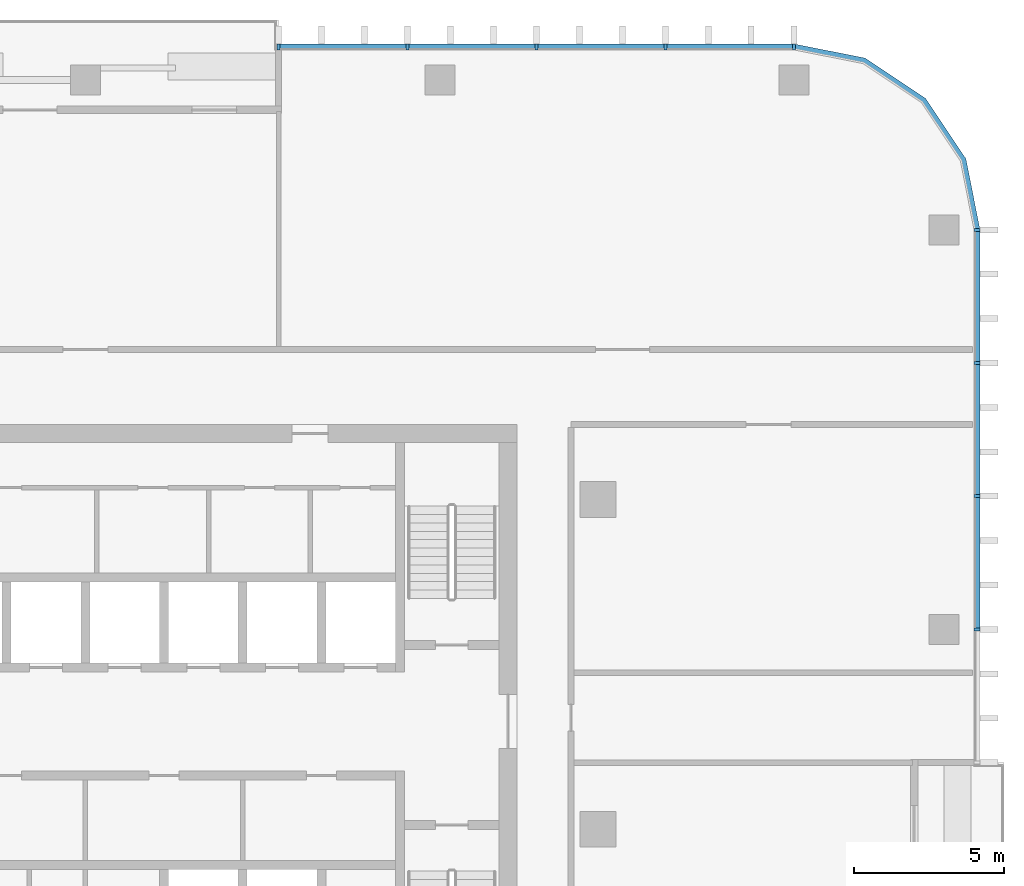
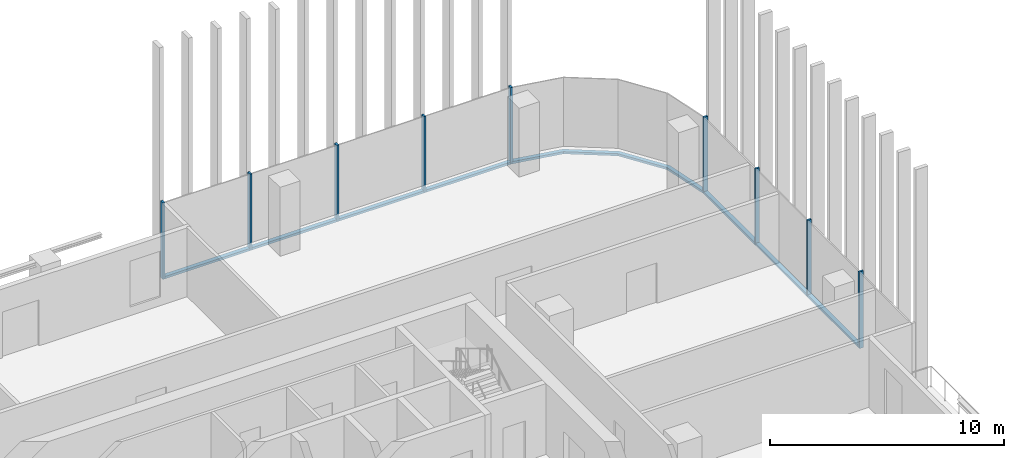
# One storey, part 5 of 16: 17 members, 3 elements without a shape of their own.
"""IFC4 building model written with IfcOpenShell, lengths in metres."""

from ifc_helpers import new_model, si_unit, direction, frame, origin, origin_2d, place, context, subcontext, project, spatial, polyline, rectangle, outline, extrude, material, material_profile, profile_set, type_object, element, aggregate, save


model = new_model("IFC4")

# Units and contexts
model_context = context("Model", 3, precision=1e-05, world=origin(), true_north=direction((0.0, 1.0)))
body_context = subcontext(model_context, "Body", "Model", "MODEL_VIEW")
ifc_project = project(units=[si_unit("LENGTHUNIT", "METRE"), si_unit("AREAUNIT", "SQUARE_METRE"), si_unit("VOLUMEUNIT", "CUBIC_METRE"), si_unit("PLANEANGLEUNIT", "RADIAN"), si_unit("MASSUNIT", "GRAM", prefix="KILO")], contexts=[model_context])

# Site, building, storey
site_placement = place(None, origin())
site = spatial("IfcSite", under=ifc_project, at=site_placement, CompositionType="ELEMENT")
building_placement = place(site_placement, origin())
building = spatial("IfcBuilding", under=site, at=building_placement, Name="Mopane Tessera Tower", CompositionType="ELEMENT")
storey_placement = place(building_placement, frame((0.0, 0.0, 267.39990234375)))
storey = spatial("IfcBuildingStorey", under=building, at=storey_placement, Name="L57", CompositionType="ELEMENT", Elevation=267.39990234375)

# Curtain wall, members
ifc_material_1 = material(Name="Aluminium frame", Category="aluminium")
curtain_wall_type = type_object("IfcCurtainWallType", Name="Unitised curtain wall", PredefinedType="NOTDEFINED", material=ifc_material_1)
curtain_wall_1_placement = place(storey_placement, origin())
curtain_wall_1 = element("IfcCurtainWall", 1, at=curtain_wall_1_placement, inside=storey, type_object=curtain_wall_type, Name="e:cw:L57:E:5", PredefinedType="NOTDEFINED")
ifc_material_2 = material(Name="Aluminium frame", Category="aluminium")
ifc_material_profile_1 = material_profile(ifc_material_2, rectangle(XDim=0.10009765625, YDim=0.199951171875, at=origin_2d()))
ifc_profile_set_1 = profile_set([ifc_material_profile_1], Name="Aluminium frame")
member_type_1 = type_object("IfcMemberType", Name="Aluminium mullion 100 x 200", PredefinedType="MULLION", material=ifc_profile_set_1)
member_1_placement = place(storey_placement, frame((29.75, 6.666748046875, -0.39990234375), z_axis=(0.0, 0.0, 1.0), x_axis=(0.0, 1.0, 0.0)))
member_1 = element("IfcMember", 2, at=member_1_placement, type_object=member_type_1, Name="e:cw:L57:E:5:mu6", PredefinedType="MULLION", context=body_context, shape_type="SweptSolid", body=[
    extrude(rectangle(XDim=0.10009765625, YDim=0.199951171875, at=origin_2d()), origin(), (0.0, 0.0, 1.0), 4.0),
])
member_2_placement = place(storey_placement, frame((29.75, 11.111083984375, -0.39990234375), z_axis=(0.0, 0.0, 1.0), x_axis=(0.0, 1.0, 0.0)))
member_2 = element("IfcMember", 3, at=member_2_placement, type_object=member_type_1, Name="e:cw:L57:E:5:mu7", PredefinedType="MULLION", context=body_context, shape_type="SweptSolid", body=[
    extrude(rectangle(XDim=0.10009765625, YDim=0.199951171875, at=origin_2d()), origin(), (0.0, 0.0, 1.0), 4.0),
])
member_3_placement = place(storey_placement, frame((29.75, 15.5556640625, -0.39990234375), z_axis=(0.0, 0.0, 1.0), x_axis=(0.0, 1.0, 0.0)))
member_3 = element("IfcMember", 4, at=member_3_placement, type_object=member_type_1, Name="e:cw:L57:E:5:mu8", PredefinedType="MULLION", context=body_context, shape_type="SweptSolid", body=[
    extrude(rectangle(XDim=0.10009765625, YDim=0.199951171875, at=origin_2d()), origin(), (0.0, 0.0, 1.0), 4.0),
])
member_4_placement = place(storey_placement, frame((29.75, 20.0, -0.39990234375), z_axis=(0.0, 0.0, 1.0), x_axis=(0.0, 1.0, 0.0)))
member_4 = element("IfcMember", 5, at=member_4_placement, type_object=member_type_1, Name="e:cw:L57:E:5:mu9", PredefinedType="MULLION", context=body_context, shape_type="SweptSolid", body=[
    extrude(rectangle(XDim=0.10009765625, YDim=0.199951171875, at=origin_2d()), origin(), (0.0, 0.0, 1.0), 4.0),
])

curtain_wall_2_placement = place(storey_placement, origin())
curtain_wall_2 = element("IfcCurtainWall", 6, at=curtain_wall_2_placement, inside=storey, type_object=curtain_wall_type, Name="e:cw:L57:N:0", PredefinedType="NOTDEFINED")
member_5_placement = place(storey_placement, frame((23.64990234375, 26.10009765625, -0.39990234375), z_axis=(0.0, 0.0, 1.0), x_axis=(-1.0, 0.0, 0.0)))
member_5 = element("IfcMember", 7, at=member_5_placement, type_object=member_type_1, Name="e:cw:L57:N:0:mu0", PredefinedType="MULLION", context=body_context, shape_type="SweptSolid", body=[
    extrude(rectangle(XDim=0.10009765625, YDim=0.199951171875, at=origin_2d()), origin(), (0.0, 0.0, 1.0), 4.0),
])
member_6_placement = place(storey_placement, frame((19.35009765625, 26.10009765625, -0.39990234375), z_axis=(0.0, 0.0, 1.0), x_axis=(-1.0, 0.0, 0.0)))
member_6 = element("IfcMember", 8, at=member_6_placement, type_object=member_type_1, Name="e:cw:L57:N:0:mu1", PredefinedType="MULLION", context=body_context, shape_type="SweptSolid", body=[
    extrude(rectangle(XDim=0.10009765625, YDim=0.199951171875, at=origin_2d()), origin(), (0.0, 0.0, 1.0), 4.0),
])
member_7_placement = place(storey_placement, frame((15.050048828125, 26.10009765625, -0.39990234375), z_axis=(0.0, 0.0, 1.0), x_axis=(-1.0, 0.0, 0.0)))
member_7 = element("IfcMember", 9, at=member_7_placement, type_object=member_type_1, Name="e:cw:L57:N:0:mu2", PredefinedType="MULLION", context=body_context, shape_type="SweptSolid", body=[
    extrude(rectangle(XDim=0.10009765625, YDim=0.199951171875, at=origin_2d()), origin(), (0.0, 0.0, 1.0), 4.0),
])
member_8_placement = place(storey_placement, frame((10.75, 26.10009765625, -0.39990234375), z_axis=(0.0, 0.0, 1.0), x_axis=(-1.0, 0.0, 0.0)))
member_8 = element("IfcMember", 10, at=member_8_placement, type_object=member_type_1, Name="e:cw:L57:N:0:mu3", PredefinedType="MULLION", context=body_context, shape_type="SweptSolid", body=[
    extrude(rectangle(XDim=0.10009765625, YDim=0.199951171875, at=origin_2d()), origin(), (0.0, 0.0, 1.0), 4.0),
])
member_9_placement = place(storey_placement, frame((6.449951171875, 26.10009765625, -0.39990234375), z_axis=(0.0, 0.0, 1.0), x_axis=(-1.0, 0.0, 0.0)))
member_9 = element("IfcMember", 11, at=member_9_placement, type_object=member_type_1, Name="e:cw:L57:N:0:mu4", PredefinedType="MULLION", context=body_context, shape_type="SweptSolid", body=[
    extrude(rectangle(XDim=0.10009765625, YDim=0.199951171875, at=origin_2d()), origin(), (0.0, 0.0, 1.0), 4.0),
])

# Member
ifc_material_3 = material(Name="Aluminium frame", Category="aluminium")
ifc_material_profile_2 = material_profile(ifc_material_3, rectangle(XDim=0.199951171875, YDim=0.1201171875, at=origin_2d()))
ifc_profile_set_2 = profile_set([ifc_material_profile_2], Name="Aluminium frame")
member_type_2 = type_object("IfcMemberType", Name="Aluminium transom 200 x 120", PredefinedType="USERDEFINED", material=ifc_profile_set_2)
member_10_placement = place(storey_placement, frame((29.75, 6.716552734375, -0.33984375), z_axis=(0.0, 1.0, 0.0), x_axis=(-1.0, 0.0, 0.0)))
member_10 = element("IfcMember", 12, at=member_10_placement, type_object=member_type_2, Name="e:cw:L57:E:5:tr6", ObjectType="TRANSOM", PredefinedType="USERDEFINED", context=body_context, shape_type="SweptSolid", body=[
    extrude(rectangle(XDim=0.199951171875, YDim=0.1201171875, at=origin_2d()), origin(), (0.0, 0.0, 1.0), 4.344482421875),
])

member_11_placement = place(storey_placement, frame((29.75, 11.1611328125, -0.33984375), z_axis=(0.0, 1.0, 0.0), x_axis=(-1.0, 0.0, 0.0)))
member_11 = element("IfcMember", 13, at=member_11_placement, type_object=member_type_2, Name="e:cw:L57:E:5:tr7", ObjectType="TRANSOM", PredefinedType="USERDEFINED", context=body_context, shape_type="SweptSolid", body=[
    extrude(rectangle(XDim=0.199951171875, YDim=0.1201171875, at=origin_2d()), origin(), (0.0, 0.0, 1.0), 4.344482421875),
])

member_12_placement = place(storey_placement, frame((29.75, 15.60546875, -0.33984375), z_axis=(0.0, 1.0, 0.0), x_axis=(-1.0, 0.0, 0.0)))
member_12 = element("IfcMember", 14, at=member_12_placement, type_object=member_type_2, Name="e:cw:L57:E:5:tr8", ObjectType="TRANSOM", PredefinedType="USERDEFINED", context=body_context, shape_type="SweptSolid", body=[
    extrude(rectangle(XDim=0.199951171875, YDim=0.1201171875, at=origin_2d()), origin(), (0.0, 0.0, 1.0), 4.344482421875),
])

aggregate(curtain_wall_1, [member_1, member_2, member_3, member_4, member_10, member_11, member_12])

# Curtain wall, member
curtain_wall_3_placement = place(storey_placement, origin())
curtain_wall_3 = element("IfcCurtainWall", 15, at=curtain_wall_3_placement, inside=storey, type_object=curtain_wall_type, Name="e:cw:L57:CE", PredefinedType="NOTDEFINED")
member_13_placement = place(storey_placement, frame((0.0, 0.0, -0.39990234375)))
member_13 = element("IfcMember", 16, at=member_13_placement, type_object=member_type_2, Name="e:cw:L57:CE:tr", ObjectType="TRANSOM", PredefinedType="USERDEFINED", context=body_context, shape_type="SweptSolid", body=[
    extrude(outline(polyline([(29.64990234375, 20.0), (29.193359375, 22.296142578125), (27.892578125, 24.24267578125), (25.946044921875, 25.543212890625), (23.64990234375, 26.0), (23.64990234375, 26.199951171875), (26.022705078125, 25.72802734375), (28.0341796875, 24.384033203125), (29.378173828125, 22.37255859375), (29.85009765625, 20.0), (29.64990234375, 20.0)])), origin(), (0.0, 0.0, 1.0), 0.1201171875),
])
aggregate(curtain_wall_3, [member_13])

# Member
member_14_placement = place(storey_placement, frame((23.60009765625, 26.10009765625, -0.33984375), z_axis=(-1.0, 0.0, 0.0), x_axis=(0.0, -1.0, 0.0)))
member_14 = element("IfcMember", 17, at=member_14_placement, type_object=member_type_2, Name="e:cw:L57:N:0:tr0", ObjectType="TRANSOM", PredefinedType="USERDEFINED", context=body_context, shape_type="SweptSolid", body=[
    extrude(rectangle(XDim=0.199951171875, YDim=0.1201171875, at=origin_2d()), origin(), (0.0, 0.0, 1.0), 4.2001953125),
])

member_15_placement = place(storey_placement, frame((19.300048828125, 26.10009765625, -0.33984375), z_axis=(-1.0, 0.0, 0.0), x_axis=(0.0, -1.0, 0.0)))
member_15 = element("IfcMember", 18, at=member_15_placement, type_object=member_type_2, Name="e:cw:L57:N:0:tr1", ObjectType="TRANSOM", PredefinedType="USERDEFINED", context=body_context, shape_type="SweptSolid", body=[
    extrude(rectangle(XDim=0.199951171875, YDim=0.1201171875, at=origin_2d()), origin(), (0.0, 0.0, 1.0), 4.199951171875),
])

member_16_placement = place(storey_placement, frame((15.0, 26.10009765625, -0.33984375), z_axis=(-1.0, 0.0, 0.0), x_axis=(0.0, -1.0, 0.0)))
member_16 = element("IfcMember", 19, at=member_16_placement, type_object=member_type_2, Name="e:cw:L57:N:0:tr2", ObjectType="TRANSOM", PredefinedType="USERDEFINED", context=body_context, shape_type="SweptSolid", body=[
    extrude(rectangle(XDim=0.199951171875, YDim=0.1201171875, at=origin_2d()), origin(), (0.0, 0.0, 1.0), 4.199951171875),
])

member_17_placement = place(storey_placement, frame((10.699951171875, 26.10009765625, -0.33984375), z_axis=(-1.0, 0.0, 0.0), x_axis=(0.0, -1.0, 0.0)))
member_17 = element("IfcMember", 20, at=member_17_placement, type_object=member_type_2, Name="e:cw:L57:N:0:tr3", ObjectType="TRANSOM", PredefinedType="USERDEFINED", context=body_context, shape_type="SweptSolid", body=[
    extrude(rectangle(XDim=0.199951171875, YDim=0.1201171875, at=origin_2d()), origin(), (0.0, 0.0, 1.0), 4.199951171875),
])

aggregate(curtain_wall_2, [member_5, member_6, member_7, member_8, member_9, member_14, member_15, member_16, member_17])

save(model, "model.ifc")
